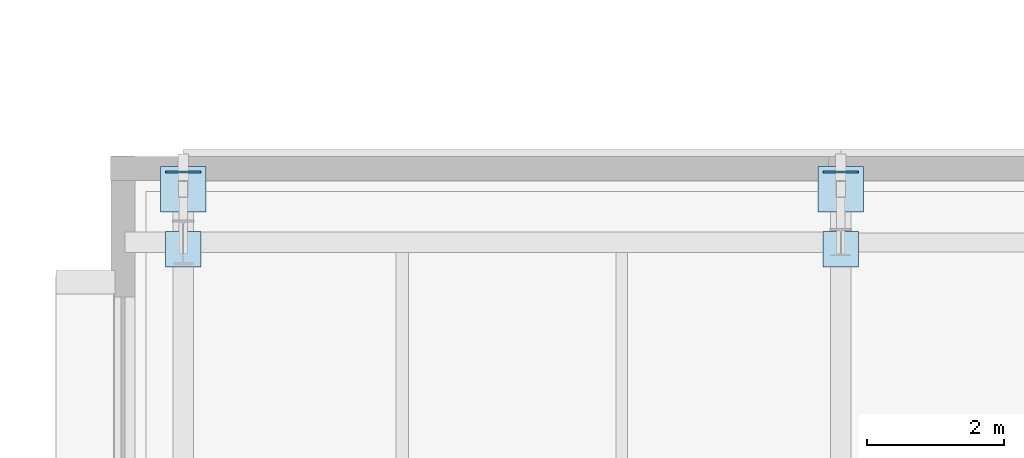
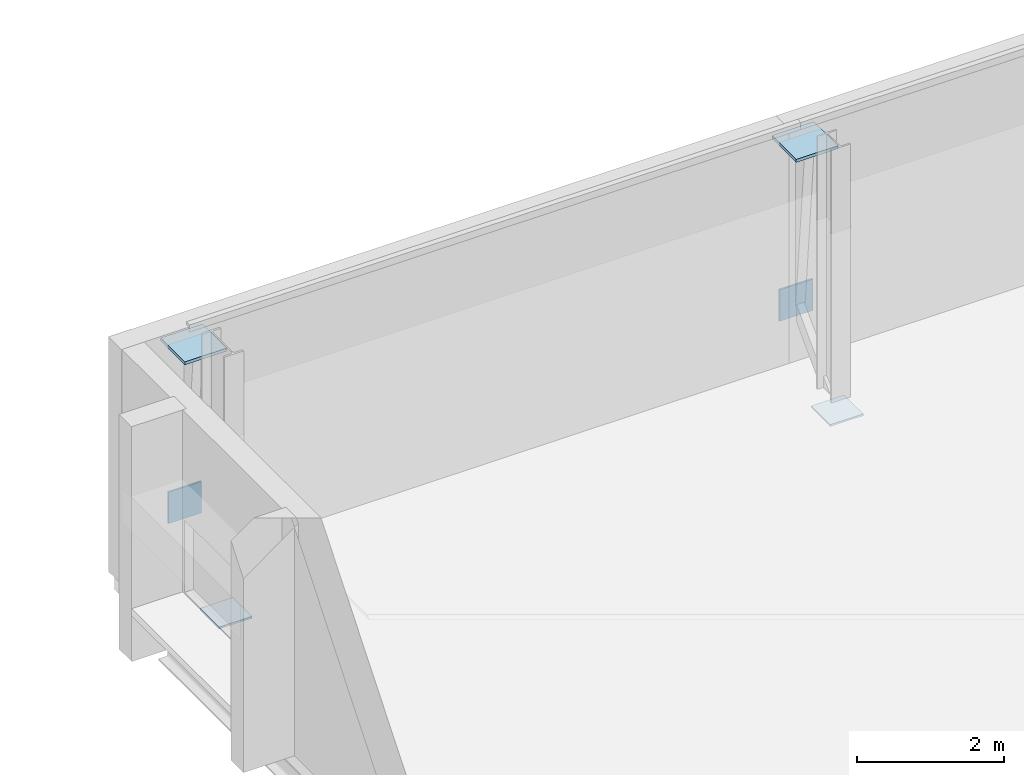
# One storey, part 36 of 57: 6 plates.
"""IFC4 building model written with IfcOpenShell, lengths in metres."""

from ifc_helpers import new_model, si_unit, direction, frame, origin, origin_2d, place, context, subcontext, project, spatial, rectangle, extrude, material, layer, layer_set, type_object, element, save


model = new_model("IFC4")

# Units and contexts
model_context = context("Model", 3, precision=1e-05, world=origin(), true_north=direction((0.0, 1.0)))
body_context = subcontext(model_context, "Body", "Model", "MODEL_VIEW")
ifc_project = project(units=[si_unit("LENGTHUNIT", "METRE"), si_unit("AREAUNIT", "SQUARE_METRE"), si_unit("VOLUMEUNIT", "CUBIC_METRE"), si_unit("PLANEANGLEUNIT", "RADIAN"), si_unit("MASSUNIT", "GRAM", prefix="KILO")], contexts=[model_context])

# Site, building, storey
site_placement = place(None, origin())
site = spatial("IfcSite", under=ifc_project, at=site_placement, CompositionType="ELEMENT")
building_placement = place(site_placement, origin())
building = spatial("IfcBuilding", under=site, at=building_placement, Name="Zereglee Splitstone Museum", CompositionType="ELEMENT")
storey_placement = place(building_placement, frame((0.0, 0.0, 17.10009765625)))
storey = spatial("IfcBuildingStorey", under=building, at=storey_placement, Name="L03", CompositionType="ELEMENT", Elevation=17.10009765625)

# Plates
ifc_material = material(Name="Steel S355J2", Category="steel")
ifc_layer_1 = layer(ifc_material, 0.030029296875)
ifc_layer_set_1 = layer_set([ifc_layer_1], Name="Steel S355J2")
plate_type_1 = type_object("IfcPlateType", Name="NP-04", PredefinedType="SHEET", material=ifc_layer_set_1)
plate_1_placement = place(storey_placement, frame((78.0, 50.300048828125, -0.2548828125), z_axis=(0.0, 0.0, 1.0), x_axis=(1.0, 0.0, 0.0)))
element("IfcPlate", 1, at=plate_1_placement, inside=storey, type_object=plate_type_1, Name="Facet Tie Seal Plate FH-V2NW", PredefinedType="SHEET", context=body_context, shape_type="SweptSolid", body=[
    extrude(rectangle(XDim=0.52001953125, YDim=0.52001953125, at=origin_2d()), origin(), (0.0, 0.0, 1.0), 0.030029296875),
])
plate_2_placement = place(storey_placement, frame((78.0, 51.4296875, 0.659912109375), z_axis=(0.0, 0.0, 1.0), x_axis=(1.0, 0.0, 0.0)))
element("IfcPlate", 2, at=plate_2_placement, inside=storey, type_object=plate_type_1, Name="Facet Tie Seal Plate FH-V2NW", PredefinedType="SHEET", context=body_context, shape_type="SweptSolid", body=[
    extrude(rectangle(XDim=0.52001953125, YDim=0.030029296875, at=origin_2d()), origin(), (0.0, 0.0, 1.0), 0.52001953125),
])
plate_3_placement = place(storey_placement, frame((87.60009765625, 50.300048828125, -0.2548828125), z_axis=(0.0, 0.0, 1.0), x_axis=(1.0, 0.0, 0.0)))
element("IfcPlate", 3, at=plate_3_placement, inside=storey, type_object=plate_type_1, Name="Facet Tie Seal Plate FH-V2NW", PredefinedType="SHEET", context=body_context, shape_type="SweptSolid", body=[
    extrude(rectangle(XDim=0.52001953125, YDim=0.52001953125, at=origin_2d()), origin(), (0.0, 0.0, 1.0), 0.030029296875),
])
plate_4_placement = place(storey_placement, frame((87.60009765625, 51.4296875, 0.659912109375), z_axis=(0.0, 0.0, 1.0), x_axis=(1.0, 0.0, 0.0)))
element("IfcPlate", 4, at=plate_4_placement, inside=storey, type_object=plate_type_1, Name="Facet Tie Seal Plate FH-V2NW", PredefinedType="SHEET", context=body_context, shape_type="SweptSolid", body=[
    extrude(rectangle(XDim=0.52001953125, YDim=0.030029296875, at=origin_2d()), origin(), (0.0, 0.0, 1.0), 0.52001953125),
])
ifc_layer_2 = layer(ifc_material, 0.050048828125)
ifc_layer_set_2 = layer_set([ifc_layer_2], Name="Steel S355J2")
plate_type_2 = type_object("IfcPlateType", Name="NP-02", PredefinedType="SHEET", material=ifc_layer_set_2)
for number, where, z_axis, x_axis, name in (
    (5, (78.0, 51.1767578125, 3.6650390625), (0.0, 0.0, 1.0), (1.0, 0.0, 0.0), "Facet Strut Seal Plate FH-V2NW"),
    (6, (87.60009765625, 51.1767578125, 3.6650390625), (0.0, 0.0, 1.0), (1.0, 0.0, 0.0), "Facet Strut Seal Plate FH-V2NW"),
):
    element("IfcPlate", number, at=place(storey_placement, frame(where, z_axis=z_axis, x_axis=x_axis)), inside=storey, type_object=plate_type_2, Name=name, PredefinedType="SHEET", context=body_context, shape_type="SweptSolid", body=[
        extrude(rectangle(XDim=0.659912109375, YDim=0.659912109375, at=origin_2d()), origin(), (0.0, 0.0, 1.0), 0.050048828125),
    ])

save(model, "model.ifc")
